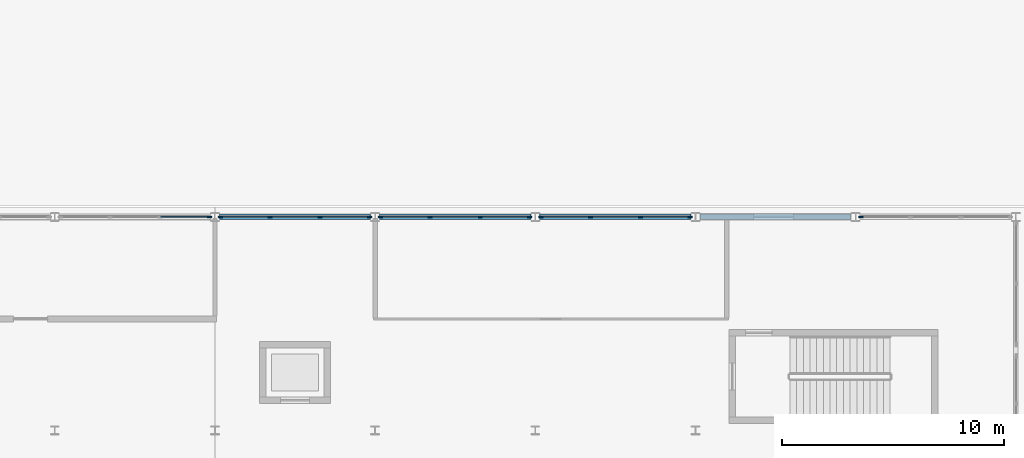
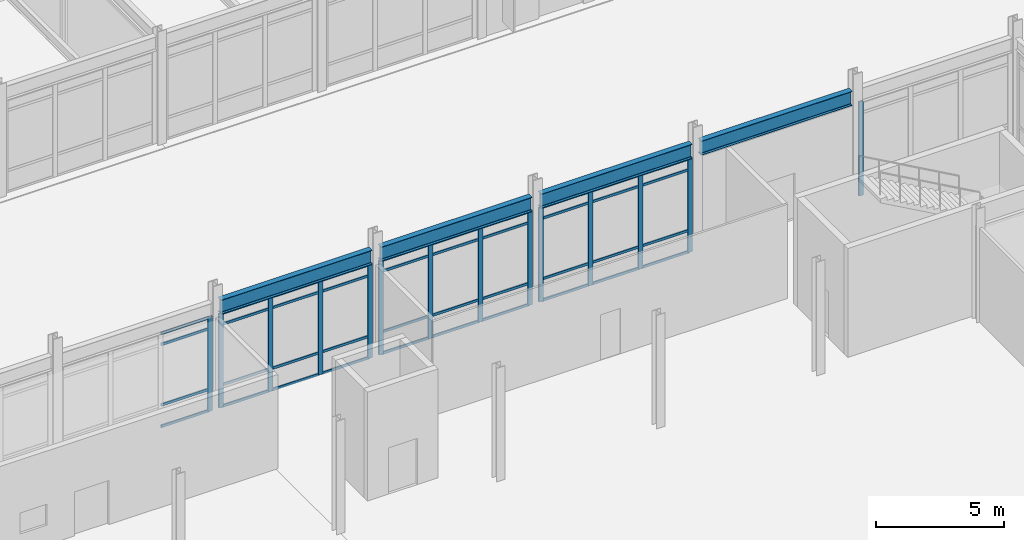
# One storey, part 26 of 104: 54 members, 4 beams, 5 elements without a shape of their own.
"""IFC4 building model written with IfcOpenShell, lengths in metres."""

from ifc_helpers import new_model, si_unit, direction, frame, origin, origin_2d, place, context, subcontext, project, spatial, rectangle, i_section, extrude, material, material_profile, profile_set, type_object, element, aggregate, save


model = new_model("IFC4")

# Units and contexts
model_context = context("Model", 3, precision=1e-05, world=origin(), true_north=direction((0.0, 1.0)))
body_context = subcontext(model_context, "Body", "Model", "MODEL_VIEW")
ifc_project = project(units=[si_unit("LENGTHUNIT", "METRE"), si_unit("AREAUNIT", "SQUARE_METRE"), si_unit("VOLUMEUNIT", "CUBIC_METRE"), si_unit("PLANEANGLEUNIT", "RADIAN"), si_unit("MASSUNIT", "GRAM", prefix="KILO")], contexts=[model_context])

# Site, building, storey
site_placement = place(None, origin())
site = spatial("IfcSite", under=ifc_project, at=site_placement, CompositionType="ELEMENT")
building_placement = place(site_placement, origin())
building = spatial("IfcBuilding", under=site, at=building_placement, Name="Vaelcorin Mobility Hub", CompositionType="ELEMENT")
storey_placement = place(building_placement, origin())
storey = spatial("IfcBuildingStorey", under=building, at=storey_placement, Name="L00", CompositionType="ELEMENT", Elevation=0.0)

# Beams
ifc_material_1 = material(Name="Steel ASTM A992 Grade 50", Category="steel")
ifc_material_profile_1 = material_profile(ifc_material_1, i_section(OverallWidth=0.25390625, OverallDepth=0.68310546875, WebThickness=0.012451171875, FlangeThickness=0.018798828125, FilletRadius=0.01611328125, at=origin_2d()), Name="W27X94")
ifc_profile_set_1 = profile_set([ifc_material_profile_1], Name="Steel ASTM A992 Grade 50")
beam_type = type_object("IfcBeamType", Name="BM-W27X94", PredefinedType="BEAM", material=ifc_profile_set_1)
for number, where, z_axis, x_axis, name in (
    (1, (72.199951171875, 60.0, 4.837890625), (1.0, 0.0, 0.0), (0.0, 1.0, 0.0), "L00 Beam V1-L00-GX-02-06"),
    (2, (79.39990234375, 60.0, 4.837890625), (1.0, 0.0, 0.0), (0.0, 1.0, 0.0), "L00 Beam V1-L00-GX-02-07"),
):
    element("IfcBeam", number, at=place(storey_placement, frame(where, z_axis=z_axis, x_axis=x_axis)), inside=storey, type_object=beam_type, Name=name, PredefinedType="BEAM", context=body_context, shape_type="SweptSolid", body=[
        extrude(i_section(OverallWidth=0.25390625, OverallDepth=0.68310546875, WebThickness=0.012451171875, FlangeThickness=0.018798828125, FilletRadius=0.01611328125, at=origin_2d()), origin(), (0.0, 0.0, 1.0), 6.800048828125),
    ])
beam_1_placement = place(storey_placement, frame((86.60009765625, 60.0, 4.837890625), z_axis=(1.0, 0.0, 0.0), x_axis=(0.0, 1.0, 0.0)))
element("IfcBeam", 3, at=beam_1_placement, inside=storey, type_object=beam_type, Name="L00 Beam V1-L00-GX-02-08", PredefinedType="BEAM", context=body_context, shape_type="SweptSolid", body=[
    extrude(i_section(OverallWidth=0.25390625, OverallDepth=0.68310546875, WebThickness=0.012451171875, FlangeThickness=0.018798828125, FilletRadius=0.01611328125, at=origin_2d()), origin(), (0.0, 0.0, 1.0), 6.7998046875),
])
beam_2_placement = place(storey_placement, frame((93.800048828125, 60.0, 4.837890625), z_axis=(1.0, 0.0, 0.0), x_axis=(0.0, 1.0, 0.0)))
element("IfcBeam", 4, at=beam_2_placement, inside=storey, type_object=beam_type, Name="L00 Beam V1-L00-GX-02-09", PredefinedType="BEAM", context=body_context, shape_type="SweptSolid", body=[
    extrude(i_section(OverallWidth=0.25390625, OverallDepth=0.68310546875, WebThickness=0.012451171875, FlangeThickness=0.018798828125, FilletRadius=0.01611328125, at=origin_2d()), origin(), (0.0, 0.0, 1.0), 6.800048828125),
])

# Curtain wall, member
ifc_material_2 = material(Name="Anodised aluminium 6063-T6", Category="aluminium")
curtain_wall_type = type_object("IfcCurtainWallType", Name="CW-CONC-B", PredefinedType="NOTDEFINED", material=ifc_material_2)
curtain_wall_1_placement = place(storey_placement, origin())
curtain_wall_1 = element("IfcCurtainWall", 5, at=curtain_wall_1_placement, inside=storey, type_object=curtain_wall_type, Name="L00 Curtain Wall CW-V1-N-05", PredefinedType="NOTDEFINED")
ifc_material_profile_2 = material_profile(ifc_material_2, rectangle(XDim=0.070068359375, YDim=0.199951171875, at=origin_2d()), Name="ALU-M70X200")
ifc_profile_set_2 = profile_set([ifc_material_profile_2], Name="Anodised aluminium 6063-T6")
member_type_1 = type_object("IfcMemberType", Name="CW-MULL-200", PredefinedType="MULLION", material=ifc_profile_set_2)
member_1_placement = place(storey_placement, frame((71.75, 60.0, 0.0), z_axis=(0.0, 0.0, 1.0), x_axis=(0.0, 1.0, 0.0)))
member_1 = element("IfcMember", 6, at=member_1_placement, type_object=member_type_1, Name="CW2 mullion 4", PredefinedType="MULLION", context=body_context, shape_type="SweptSolid", body=[
    extrude(rectangle(XDim=0.070068359375, YDim=0.199951171875, at=origin_2d()), origin(), (0.0, 0.0, 1.0), 4.48193359375),
])

# Curtain wall, members
curtain_wall_2_placement = place(storey_placement, origin())
curtain_wall_2 = element("IfcCurtainWall", 7, at=curtain_wall_2_placement, inside=storey, type_object=curtain_wall_type, Name="L00 Curtain Wall CW-V1-N-06", PredefinedType="NOTDEFINED")
member_2_placement = place(storey_placement, frame((72.25, 60.0, 0.0), z_axis=(0.0, 0.0, 1.0), x_axis=(0.0, 1.0, 0.0)))
member_2 = element("IfcMember", 8, at=member_2_placement, type_object=member_type_1, Name="CW2 mullion 1", PredefinedType="MULLION", context=body_context, shape_type="SweptSolid", body=[
    extrude(rectangle(XDim=0.070068359375, YDim=0.199951171875, at=origin_2d()), origin(), (0.0, 0.0, 1.0), 4.48193359375),
])
member_3_placement = place(storey_placement, frame((74.473388671875, 60.0, 0.0), z_axis=(0.0, 0.0, 1.0), x_axis=(0.0, 1.0, 0.0)))
member_3 = element("IfcMember", 9, at=member_3_placement, type_object=member_type_1, Name="CW2 mullion 2", PredefinedType="MULLION", context=body_context, shape_type="SweptSolid", body=[
    extrude(rectangle(XDim=0.070068359375, YDim=0.199951171875, at=origin_2d()), origin(), (0.0, 0.0, 1.0), 4.48193359375),
])
member_4_placement = place(storey_placement, frame((76.7265625, 60.0, 0.0), z_axis=(0.0, 0.0, 1.0), x_axis=(0.0, 1.0, 0.0)))
member_4 = element("IfcMember", 10, at=member_4_placement, type_object=member_type_1, Name="CW2 mullion 3", PredefinedType="MULLION", context=body_context, shape_type="SweptSolid", body=[
    extrude(rectangle(XDim=0.070068359375, YDim=0.199951171875, at=origin_2d()), origin(), (0.0, 0.0, 1.0), 4.48193359375),
])
member_5_placement = place(storey_placement, frame((78.949951171875, 60.0, 0.0), z_axis=(0.0, 0.0, 1.0), x_axis=(0.0, 1.0, 0.0)))
member_5 = element("IfcMember", 11, at=member_5_placement, type_object=member_type_1, Name="CW2 mullion 4", PredefinedType="MULLION", context=body_context, shape_type="SweptSolid", body=[
    extrude(rectangle(XDim=0.070068359375, YDim=0.199951171875, at=origin_2d()), origin(), (0.0, 0.0, 1.0), 4.48193359375),
])

curtain_wall_3_placement = place(storey_placement, origin())
curtain_wall_3 = element("IfcCurtainWall", 12, at=curtain_wall_3_placement, inside=storey, type_object=curtain_wall_type, Name="L00 Curtain Wall CW-V1-N-07", PredefinedType="NOTDEFINED")
member_6_placement = place(storey_placement, frame((79.449951171875, 60.0, 0.0), z_axis=(0.0, 0.0, 1.0), x_axis=(0.0, 1.0, 0.0)))
member_6 = element("IfcMember", 13, at=member_6_placement, type_object=member_type_1, Name="CW2 mullion 1", PredefinedType="MULLION", context=body_context, shape_type="SweptSolid", body=[
    extrude(rectangle(XDim=0.070068359375, YDim=0.199951171875, at=origin_2d()), origin(), (0.0, 0.0, 1.0), 4.48193359375),
])
member_7_placement = place(storey_placement, frame((81.67333984375, 60.0, 0.0), z_axis=(0.0, 0.0, 1.0), x_axis=(0.0, 1.0, 0.0)))
member_7 = element("IfcMember", 14, at=member_7_placement, type_object=member_type_1, Name="CW2 mullion 2", PredefinedType="MULLION", context=body_context, shape_type="SweptSolid", body=[
    extrude(rectangle(XDim=0.070068359375, YDim=0.199951171875, at=origin_2d()), origin(), (0.0, 0.0, 1.0), 4.48193359375),
])
member_8_placement = place(storey_placement, frame((83.9267578125, 60.0, 0.0), z_axis=(0.0, 0.0, 1.0), x_axis=(0.0, 1.0, 0.0)))
member_8 = element("IfcMember", 15, at=member_8_placement, type_object=member_type_1, Name="CW2 mullion 3", PredefinedType="MULLION", context=body_context, shape_type="SweptSolid", body=[
    extrude(rectangle(XDim=0.070068359375, YDim=0.199951171875, at=origin_2d()), origin(), (0.0, 0.0, 1.0), 4.48193359375),
])
member_9_placement = place(storey_placement, frame((86.14990234375, 60.0, 0.0), z_axis=(0.0, 0.0, 1.0), x_axis=(0.0, 1.0, 0.0)))
member_9 = element("IfcMember", 16, at=member_9_placement, type_object=member_type_1, Name="CW2 mullion 4", PredefinedType="MULLION", context=body_context, shape_type="SweptSolid", body=[
    extrude(rectangle(XDim=0.070068359375, YDim=0.199951171875, at=origin_2d()), origin(), (0.0, 0.0, 1.0), 4.48193359375),
])

curtain_wall_4_placement = place(storey_placement, origin())
curtain_wall_4 = element("IfcCurtainWall", 17, at=curtain_wall_4_placement, inside=storey, type_object=curtain_wall_type, Name="L00 Curtain Wall CW-V1-N-08", PredefinedType="NOTDEFINED")
member_10_placement = place(storey_placement, frame((86.64990234375, 60.0, 0.0), z_axis=(0.0, 0.0, 1.0), x_axis=(0.0, 1.0, 0.0)))
member_10 = element("IfcMember", 18, at=member_10_placement, type_object=member_type_1, Name="CW2 mullion 1", PredefinedType="MULLION", context=body_context, shape_type="SweptSolid", body=[
    extrude(rectangle(XDim=0.070068359375, YDim=0.199951171875, at=origin_2d()), origin(), (0.0, 0.0, 1.0), 4.48193359375),
])
member_11_placement = place(storey_placement, frame((88.873291015625, 60.0, 0.0), z_axis=(0.0, 0.0, 1.0), x_axis=(0.0, 1.0, 0.0)))
member_11 = element("IfcMember", 19, at=member_11_placement, type_object=member_type_1, Name="CW2 mullion 2", PredefinedType="MULLION", context=body_context, shape_type="SweptSolid", body=[
    extrude(rectangle(XDim=0.070068359375, YDim=0.199951171875, at=origin_2d()), origin(), (0.0, 0.0, 1.0), 4.48193359375),
])
member_12_placement = place(storey_placement, frame((91.126708984375, 60.0, 0.0), z_axis=(0.0, 0.0, 1.0), x_axis=(0.0, 1.0, 0.0)))
member_12 = element("IfcMember", 20, at=member_12_placement, type_object=member_type_1, Name="CW2 mullion 3", PredefinedType="MULLION", context=body_context, shape_type="SweptSolid", body=[
    extrude(rectangle(XDim=0.070068359375, YDim=0.199951171875, at=origin_2d()), origin(), (0.0, 0.0, 1.0), 4.48193359375),
])
member_13_placement = place(storey_placement, frame((93.35009765625, 60.0, 0.0), z_axis=(0.0, 0.0, 1.0), x_axis=(0.0, 1.0, 0.0)))
member_13 = element("IfcMember", 21, at=member_13_placement, type_object=member_type_1, Name="CW2 mullion 4", PredefinedType="MULLION", context=body_context, shape_type="SweptSolid", body=[
    extrude(rectangle(XDim=0.070068359375, YDim=0.199951171875, at=origin_2d()), origin(), (0.0, 0.0, 1.0), 4.48193359375),
])

# Curtain wall, member
curtain_wall_5_placement = place(storey_placement, origin())
curtain_wall_5 = element("IfcCurtainWall", 22, at=curtain_wall_5_placement, inside=storey, type_object=curtain_wall_type, Name="L00 Curtain Wall CW-V1-N-10", PredefinedType="NOTDEFINED")
member_14_placement = place(storey_placement, frame((101.050048828125, 60.0, 0.0), z_axis=(0.0, 0.0, 1.0), x_axis=(0.0, 1.0, 0.0)))
member_14 = element("IfcMember", 23, at=member_14_placement, type_object=member_type_1, Name="CW2 mullion 1", PredefinedType="MULLION", context=body_context, shape_type="SweptSolid", body=[
    extrude(rectangle(XDim=0.070068359375, YDim=0.199951171875, at=origin_2d()), origin(), (0.0, 0.0, 1.0), 4.48193359375),
])
aggregate(curtain_wall_5, [member_14])

# Member
ifc_material_profile_3 = material_profile(ifc_material_2, rectangle(XDim=0.06005859375, YDim=0.1201171875, at=origin_2d()), Name="ALU-T60X120")
ifc_profile_set_3 = profile_set([ifc_material_profile_3], Name="Anodised aluminium 6063-T6")
member_type_2 = type_object("IfcMemberType", Name="CW-TRAN-140", PredefinedType="USERDEFINED", material=ifc_profile_set_3)
member_15_placement = place(storey_placement, frame((69.556640625, 60.0, 0.030029296875), z_axis=(1.0, 0.0, 0.0), x_axis=(0.0, 1.0, 0.0)))
member_15 = element("IfcMember", 24, at=member_15_placement, type_object=member_type_2, Name="CW2 transom 3.1", ObjectType="TRANSOM", PredefinedType="USERDEFINED", context=body_context, shape_type="SweptSolid", body=[
    extrude(rectangle(XDim=0.06005859375, YDim=0.1201171875, at=origin_2d()), origin(), (0.0, 0.0, 1.0), 2.163330078125),
])

member_16_placement = place(storey_placement, frame((69.556640625, 60.0, 1.050048828125), z_axis=(1.0, 0.0, 0.0), x_axis=(0.0, 1.0, 0.0)))
member_16 = element("IfcMember", 25, at=member_16_placement, type_object=member_type_2, Name="CW2 transom 3.2", ObjectType="TRANSOM", PredefinedType="USERDEFINED", context=body_context, shape_type="SweptSolid", body=[
    extrude(rectangle(XDim=0.06005859375, YDim=0.1201171875, at=origin_2d()), origin(), (0.0, 0.0, 1.0), 2.163330078125),
])

member_17_placement = place(storey_placement, frame((69.556640625, 60.0, 3.931884765625), z_axis=(1.0, 0.0, 0.0), x_axis=(0.0, 1.0, 0.0)))
member_17 = element("IfcMember", 26, at=member_17_placement, type_object=member_type_2, Name="CW2 transom 3.3", ObjectType="TRANSOM", PredefinedType="USERDEFINED", context=body_context, shape_type="SweptSolid", body=[
    extrude(rectangle(XDim=0.06005859375, YDim=0.1201171875, at=origin_2d()), origin(), (0.0, 0.0, 1.0), 2.163330078125),
])

member_18_placement = place(storey_placement, frame((69.556640625, 60.0, 4.451904296875), z_axis=(1.0, 0.0, 0.0), x_axis=(0.0, 1.0, 0.0)))
member_18 = element("IfcMember", 27, at=member_18_placement, type_object=member_type_2, Name="CW2 transom 3.4", ObjectType="TRANSOM", PredefinedType="USERDEFINED", context=body_context, shape_type="SweptSolid", body=[
    extrude(rectangle(XDim=0.06005859375, YDim=0.1201171875, at=origin_2d()), origin(), (0.0, 0.0, 1.0), 2.163330078125),
])

aggregate(curtain_wall_1, [member_1, member_15, member_16, member_17, member_18])

member_19_placement = place(storey_placement, frame((72.280029296875, 60.0, 0.030029296875), z_axis=(1.0, 0.0, 0.0), x_axis=(0.0, 1.0, 0.0)))
member_19 = element("IfcMember", 28, at=member_19_placement, type_object=member_type_2, Name="CW2 transom 1.1", ObjectType="TRANSOM", PredefinedType="USERDEFINED", context=body_context, shape_type="SweptSolid", body=[
    extrude(rectangle(XDim=0.06005859375, YDim=0.1201171875, at=origin_2d()), origin(), (0.0, 0.0, 1.0), 2.163330078125),
])

member_20_placement = place(storey_placement, frame((72.280029296875, 60.0, 1.050048828125), z_axis=(1.0, 0.0, 0.0), x_axis=(0.0, 1.0, 0.0)))
member_20 = element("IfcMember", 29, at=member_20_placement, type_object=member_type_2, Name="CW2 transom 1.2", ObjectType="TRANSOM", PredefinedType="USERDEFINED", context=body_context, shape_type="SweptSolid", body=[
    extrude(rectangle(XDim=0.06005859375, YDim=0.1201171875, at=origin_2d()), origin(), (0.0, 0.0, 1.0), 2.163330078125),
])

member_21_placement = place(storey_placement, frame((72.280029296875, 60.0, 3.931884765625), z_axis=(1.0, 0.0, 0.0), x_axis=(0.0, 1.0, 0.0)))
member_21 = element("IfcMember", 30, at=member_21_placement, type_object=member_type_2, Name="CW2 transom 1.3", ObjectType="TRANSOM", PredefinedType="USERDEFINED", context=body_context, shape_type="SweptSolid", body=[
    extrude(rectangle(XDim=0.06005859375, YDim=0.1201171875, at=origin_2d()), origin(), (0.0, 0.0, 1.0), 2.163330078125),
])

member_22_placement = place(storey_placement, frame((72.280029296875, 60.0, 4.451904296875), z_axis=(1.0, 0.0, 0.0), x_axis=(0.0, 1.0, 0.0)))
member_22 = element("IfcMember", 31, at=member_22_placement, type_object=member_type_2, Name="CW2 transom 1.4", ObjectType="TRANSOM", PredefinedType="USERDEFINED", context=body_context, shape_type="SweptSolid", body=[
    extrude(rectangle(XDim=0.06005859375, YDim=0.1201171875, at=origin_2d()), origin(), (0.0, 0.0, 1.0), 2.163330078125),
])

member_23_placement = place(storey_placement, frame((74.50341796875, 60.0, 0.030029296875), z_axis=(1.0, 0.0, 0.0), x_axis=(0.0, 1.0, 0.0)))
member_23 = element("IfcMember", 32, at=member_23_placement, type_object=member_type_2, Name="CW2 transom 2.1", ObjectType="TRANSOM", PredefinedType="USERDEFINED", context=body_context, shape_type="SweptSolid", body=[
    extrude(rectangle(XDim=0.06005859375, YDim=0.1201171875, at=origin_2d()), origin(), (0.0, 0.0, 1.0), 2.193359375),
])

member_24_placement = place(storey_placement, frame((74.50341796875, 60.0, 1.050048828125), z_axis=(1.0, 0.0, 0.0), x_axis=(0.0, 1.0, 0.0)))
member_24 = element("IfcMember", 33, at=member_24_placement, type_object=member_type_2, Name="CW2 transom 2.2", ObjectType="TRANSOM", PredefinedType="USERDEFINED", context=body_context, shape_type="SweptSolid", body=[
    extrude(rectangle(XDim=0.06005859375, YDim=0.1201171875, at=origin_2d()), origin(), (0.0, 0.0, 1.0), 2.193359375),
])

member_25_placement = place(storey_placement, frame((74.50341796875, 60.0, 3.931884765625), z_axis=(1.0, 0.0, 0.0), x_axis=(0.0, 1.0, 0.0)))
member_25 = element("IfcMember", 34, at=member_25_placement, type_object=member_type_2, Name="CW2 transom 2.3", ObjectType="TRANSOM", PredefinedType="USERDEFINED", context=body_context, shape_type="SweptSolid", body=[
    extrude(rectangle(XDim=0.06005859375, YDim=0.1201171875, at=origin_2d()), origin(), (0.0, 0.0, 1.0), 2.193359375),
])

member_26_placement = place(storey_placement, frame((74.50341796875, 60.0, 4.451904296875), z_axis=(1.0, 0.0, 0.0), x_axis=(0.0, 1.0, 0.0)))
member_26 = element("IfcMember", 35, at=member_26_placement, type_object=member_type_2, Name="CW2 transom 2.4", ObjectType="TRANSOM", PredefinedType="USERDEFINED", context=body_context, shape_type="SweptSolid", body=[
    extrude(rectangle(XDim=0.06005859375, YDim=0.1201171875, at=origin_2d()), origin(), (0.0, 0.0, 1.0), 2.193359375),
])

member_27_placement = place(storey_placement, frame((76.756591796875, 60.0, 0.030029296875), z_axis=(1.0, 0.0, 0.0), x_axis=(0.0, 1.0, 0.0)))
member_27 = element("IfcMember", 36, at=member_27_placement, type_object=member_type_2, Name="CW2 transom 3.1", ObjectType="TRANSOM", PredefinedType="USERDEFINED", context=body_context, shape_type="SweptSolid", body=[
    extrude(rectangle(XDim=0.06005859375, YDim=0.1201171875, at=origin_2d()), origin(), (0.0, 0.0, 1.0), 2.163330078125),
])

member_28_placement = place(storey_placement, frame((76.756591796875, 60.0, 1.050048828125), z_axis=(1.0, 0.0, 0.0), x_axis=(0.0, 1.0, 0.0)))
member_28 = element("IfcMember", 37, at=member_28_placement, type_object=member_type_2, Name="CW2 transom 3.2", ObjectType="TRANSOM", PredefinedType="USERDEFINED", context=body_context, shape_type="SweptSolid", body=[
    extrude(rectangle(XDim=0.06005859375, YDim=0.1201171875, at=origin_2d()), origin(), (0.0, 0.0, 1.0), 2.163330078125),
])

member_29_placement = place(storey_placement, frame((76.756591796875, 60.0, 3.931884765625), z_axis=(1.0, 0.0, 0.0), x_axis=(0.0, 1.0, 0.0)))
member_29 = element("IfcMember", 38, at=member_29_placement, type_object=member_type_2, Name="CW2 transom 3.3", ObjectType="TRANSOM", PredefinedType="USERDEFINED", context=body_context, shape_type="SweptSolid", body=[
    extrude(rectangle(XDim=0.06005859375, YDim=0.1201171875, at=origin_2d()), origin(), (0.0, 0.0, 1.0), 2.163330078125),
])

member_30_placement = place(storey_placement, frame((76.756591796875, 60.0, 4.451904296875), z_axis=(1.0, 0.0, 0.0), x_axis=(0.0, 1.0, 0.0)))
member_30 = element("IfcMember", 39, at=member_30_placement, type_object=member_type_2, Name="CW2 transom 3.4", ObjectType="TRANSOM", PredefinedType="USERDEFINED", context=body_context, shape_type="SweptSolid", body=[
    extrude(rectangle(XDim=0.06005859375, YDim=0.1201171875, at=origin_2d()), origin(), (0.0, 0.0, 1.0), 2.163330078125),
])

aggregate(curtain_wall_2, [member_2, member_3, member_4, member_5, member_19, member_20, member_21, member_22, member_23, member_24, member_25, member_26, member_27, member_28, member_29, member_30])

member_31_placement = place(storey_placement, frame((79.47998046875, 60.0, 0.030029296875), z_axis=(1.0, 0.0, 0.0), x_axis=(0.0, 1.0, 0.0)))
member_31 = element("IfcMember", 40, at=member_31_placement, type_object=member_type_2, Name="CW2 transom 1.1", ObjectType="TRANSOM", PredefinedType="USERDEFINED", context=body_context, shape_type="SweptSolid", body=[
    extrude(rectangle(XDim=0.06005859375, YDim=0.1201171875, at=origin_2d()), origin(), (0.0, 0.0, 1.0), 2.163330078125),
])

member_32_placement = place(storey_placement, frame((79.47998046875, 60.0, 1.050048828125), z_axis=(1.0, 0.0, 0.0), x_axis=(0.0, 1.0, 0.0)))
member_32 = element("IfcMember", 41, at=member_32_placement, type_object=member_type_2, Name="CW2 transom 1.2", ObjectType="TRANSOM", PredefinedType="USERDEFINED", context=body_context, shape_type="SweptSolid", body=[
    extrude(rectangle(XDim=0.06005859375, YDim=0.1201171875, at=origin_2d()), origin(), (0.0, 0.0, 1.0), 2.163330078125),
])

member_33_placement = place(storey_placement, frame((79.47998046875, 60.0, 3.931884765625), z_axis=(1.0, 0.0, 0.0), x_axis=(0.0, 1.0, 0.0)))
member_33 = element("IfcMember", 42, at=member_33_placement, type_object=member_type_2, Name="CW2 transom 1.3", ObjectType="TRANSOM", PredefinedType="USERDEFINED", context=body_context, shape_type="SweptSolid", body=[
    extrude(rectangle(XDim=0.06005859375, YDim=0.1201171875, at=origin_2d()), origin(), (0.0, 0.0, 1.0), 2.163330078125),
])

member_34_placement = place(storey_placement, frame((79.47998046875, 60.0, 4.451904296875), z_axis=(1.0, 0.0, 0.0), x_axis=(0.0, 1.0, 0.0)))
member_34 = element("IfcMember", 43, at=member_34_placement, type_object=member_type_2, Name="CW2 transom 1.4", ObjectType="TRANSOM", PredefinedType="USERDEFINED", context=body_context, shape_type="SweptSolid", body=[
    extrude(rectangle(XDim=0.06005859375, YDim=0.1201171875, at=origin_2d()), origin(), (0.0, 0.0, 1.0), 2.163330078125),
])

member_35_placement = place(storey_placement, frame((81.703369140625, 60.0, 0.030029296875), z_axis=(1.0, 0.0, 0.0), x_axis=(0.0, 1.0, 0.0)))
member_35 = element("IfcMember", 44, at=member_35_placement, type_object=member_type_2, Name="CW2 transom 2.1", ObjectType="TRANSOM", PredefinedType="USERDEFINED", context=body_context, shape_type="SweptSolid", body=[
    extrude(rectangle(XDim=0.06005859375, YDim=0.1201171875, at=origin_2d()), origin(), (0.0, 0.0, 1.0), 2.193359375),
])

member_36_placement = place(storey_placement, frame((81.703369140625, 60.0, 1.050048828125), z_axis=(1.0, 0.0, 0.0), x_axis=(0.0, 1.0, 0.0)))
member_36 = element("IfcMember", 45, at=member_36_placement, type_object=member_type_2, Name="CW2 transom 2.2", ObjectType="TRANSOM", PredefinedType="USERDEFINED", context=body_context, shape_type="SweptSolid", body=[
    extrude(rectangle(XDim=0.06005859375, YDim=0.1201171875, at=origin_2d()), origin(), (0.0, 0.0, 1.0), 2.193359375),
])

member_37_placement = place(storey_placement, frame((81.703369140625, 60.0, 3.931884765625), z_axis=(1.0, 0.0, 0.0), x_axis=(0.0, 1.0, 0.0)))
member_37 = element("IfcMember", 46, at=member_37_placement, type_object=member_type_2, Name="CW2 transom 2.3", ObjectType="TRANSOM", PredefinedType="USERDEFINED", context=body_context, shape_type="SweptSolid", body=[
    extrude(rectangle(XDim=0.06005859375, YDim=0.1201171875, at=origin_2d()), origin(), (0.0, 0.0, 1.0), 2.193359375),
])

member_38_placement = place(storey_placement, frame((81.703369140625, 60.0, 4.451904296875), z_axis=(1.0, 0.0, 0.0), x_axis=(0.0, 1.0, 0.0)))
member_38 = element("IfcMember", 47, at=member_38_placement, type_object=member_type_2, Name="CW2 transom 2.4", ObjectType="TRANSOM", PredefinedType="USERDEFINED", context=body_context, shape_type="SweptSolid", body=[
    extrude(rectangle(XDim=0.06005859375, YDim=0.1201171875, at=origin_2d()), origin(), (0.0, 0.0, 1.0), 2.193359375),
])

member_39_placement = place(storey_placement, frame((83.956787109375, 60.0, 0.030029296875), z_axis=(1.0, 0.0, 0.0), x_axis=(0.0, 1.0, 0.0)))
member_39 = element("IfcMember", 48, at=member_39_placement, type_object=member_type_2, Name="CW2 transom 3.1", ObjectType="TRANSOM", PredefinedType="USERDEFINED", context=body_context, shape_type="SweptSolid", body=[
    extrude(rectangle(XDim=0.06005859375, YDim=0.1201171875, at=origin_2d()), origin(), (0.0, 0.0, 1.0), 2.163330078125),
])

member_40_placement = place(storey_placement, frame((83.956787109375, 60.0, 1.050048828125), z_axis=(1.0, 0.0, 0.0), x_axis=(0.0, 1.0, 0.0)))
member_40 = element("IfcMember", 49, at=member_40_placement, type_object=member_type_2, Name="CW2 transom 3.2", ObjectType="TRANSOM", PredefinedType="USERDEFINED", context=body_context, shape_type="SweptSolid", body=[
    extrude(rectangle(XDim=0.06005859375, YDim=0.1201171875, at=origin_2d()), origin(), (0.0, 0.0, 1.0), 2.163330078125),
])

member_41_placement = place(storey_placement, frame((83.956787109375, 60.0, 3.931884765625), z_axis=(1.0, 0.0, 0.0), x_axis=(0.0, 1.0, 0.0)))
member_41 = element("IfcMember", 50, at=member_41_placement, type_object=member_type_2, Name="CW2 transom 3.3", ObjectType="TRANSOM", PredefinedType="USERDEFINED", context=body_context, shape_type="SweptSolid", body=[
    extrude(rectangle(XDim=0.06005859375, YDim=0.1201171875, at=origin_2d()), origin(), (0.0, 0.0, 1.0), 2.163330078125),
])

member_42_placement = place(storey_placement, frame((83.956787109375, 60.0, 4.451904296875), z_axis=(1.0, 0.0, 0.0), x_axis=(0.0, 1.0, 0.0)))
member_42 = element("IfcMember", 51, at=member_42_placement, type_object=member_type_2, Name="CW2 transom 3.4", ObjectType="TRANSOM", PredefinedType="USERDEFINED", context=body_context, shape_type="SweptSolid", body=[
    extrude(rectangle(XDim=0.06005859375, YDim=0.1201171875, at=origin_2d()), origin(), (0.0, 0.0, 1.0), 2.163330078125),
])

aggregate(curtain_wall_3, [member_6, member_7, member_8, member_9, member_31, member_32, member_33, member_34, member_35, member_36, member_37, member_38, member_39, member_40, member_41, member_42])

member_43_placement = place(storey_placement, frame((86.679931640625, 60.0, 0.030029296875), z_axis=(1.0, 0.0, 0.0), x_axis=(0.0, 1.0, 0.0)))
member_43 = element("IfcMember", 52, at=member_43_placement, type_object=member_type_2, Name="CW2 transom 1.1", ObjectType="TRANSOM", PredefinedType="USERDEFINED", context=body_context, shape_type="SweptSolid", body=[
    extrude(rectangle(XDim=0.06005859375, YDim=0.1201171875, at=origin_2d()), origin(), (0.0, 0.0, 1.0), 2.163330078125),
])

member_44_placement = place(storey_placement, frame((86.679931640625, 60.0, 1.050048828125), z_axis=(1.0, 0.0, 0.0), x_axis=(0.0, 1.0, 0.0)))
member_44 = element("IfcMember", 53, at=member_44_placement, type_object=member_type_2, Name="CW2 transom 1.2", ObjectType="TRANSOM", PredefinedType="USERDEFINED", context=body_context, shape_type="SweptSolid", body=[
    extrude(rectangle(XDim=0.06005859375, YDim=0.1201171875, at=origin_2d()), origin(), (0.0, 0.0, 1.0), 2.163330078125),
])

member_45_placement = place(storey_placement, frame((86.679931640625, 60.0, 3.931884765625), z_axis=(1.0, 0.0, 0.0), x_axis=(0.0, 1.0, 0.0)))
member_45 = element("IfcMember", 54, at=member_45_placement, type_object=member_type_2, Name="CW2 transom 1.3", ObjectType="TRANSOM", PredefinedType="USERDEFINED", context=body_context, shape_type="SweptSolid", body=[
    extrude(rectangle(XDim=0.06005859375, YDim=0.1201171875, at=origin_2d()), origin(), (0.0, 0.0, 1.0), 2.163330078125),
])

member_46_placement = place(storey_placement, frame((86.679931640625, 60.0, 4.451904296875), z_axis=(1.0, 0.0, 0.0), x_axis=(0.0, 1.0, 0.0)))
member_46 = element("IfcMember", 55, at=member_46_placement, type_object=member_type_2, Name="CW2 transom 1.4", ObjectType="TRANSOM", PredefinedType="USERDEFINED", context=body_context, shape_type="SweptSolid", body=[
    extrude(rectangle(XDim=0.06005859375, YDim=0.1201171875, at=origin_2d()), origin(), (0.0, 0.0, 1.0), 2.163330078125),
])

member_47_placement = place(storey_placement, frame((88.9033203125, 60.0, 0.030029296875), z_axis=(1.0, 0.0, 0.0), x_axis=(0.0, 1.0, 0.0)))
member_47 = element("IfcMember", 56, at=member_47_placement, type_object=member_type_2, Name="CW2 transom 2.1", ObjectType="TRANSOM", PredefinedType="USERDEFINED", context=body_context, shape_type="SweptSolid", body=[
    extrude(rectangle(XDim=0.06005859375, YDim=0.1201171875, at=origin_2d()), origin(), (0.0, 0.0, 1.0), 2.193359375),
])

member_48_placement = place(storey_placement, frame((88.9033203125, 60.0, 1.050048828125), z_axis=(1.0, 0.0, 0.0), x_axis=(0.0, 1.0, 0.0)))
member_48 = element("IfcMember", 57, at=member_48_placement, type_object=member_type_2, Name="CW2 transom 2.2", ObjectType="TRANSOM", PredefinedType="USERDEFINED", context=body_context, shape_type="SweptSolid", body=[
    extrude(rectangle(XDim=0.06005859375, YDim=0.1201171875, at=origin_2d()), origin(), (0.0, 0.0, 1.0), 2.193359375),
])

member_49_placement = place(storey_placement, frame((88.9033203125, 60.0, 3.931884765625), z_axis=(1.0, 0.0, 0.0), x_axis=(0.0, 1.0, 0.0)))
member_49 = element("IfcMember", 58, at=member_49_placement, type_object=member_type_2, Name="CW2 transom 2.3", ObjectType="TRANSOM", PredefinedType="USERDEFINED", context=body_context, shape_type="SweptSolid", body=[
    extrude(rectangle(XDim=0.06005859375, YDim=0.1201171875, at=origin_2d()), origin(), (0.0, 0.0, 1.0), 2.193359375),
])

member_50_placement = place(storey_placement, frame((88.9033203125, 60.0, 4.451904296875), z_axis=(1.0, 0.0, 0.0), x_axis=(0.0, 1.0, 0.0)))
member_50 = element("IfcMember", 59, at=member_50_placement, type_object=member_type_2, Name="CW2 transom 2.4", ObjectType="TRANSOM", PredefinedType="USERDEFINED", context=body_context, shape_type="SweptSolid", body=[
    extrude(rectangle(XDim=0.06005859375, YDim=0.1201171875, at=origin_2d()), origin(), (0.0, 0.0, 1.0), 2.193359375),
])

member_51_placement = place(storey_placement, frame((91.15673828125, 60.0, 0.030029296875), z_axis=(1.0, 0.0, 0.0), x_axis=(0.0, 1.0, 0.0)))
member_51 = element("IfcMember", 60, at=member_51_placement, type_object=member_type_2, Name="CW2 transom 3.1", ObjectType="TRANSOM", PredefinedType="USERDEFINED", context=body_context, shape_type="SweptSolid", body=[
    extrude(rectangle(XDim=0.06005859375, YDim=0.1201171875, at=origin_2d()), origin(), (0.0, 0.0, 1.0), 2.163330078125),
])

member_52_placement = place(storey_placement, frame((91.15673828125, 60.0, 1.050048828125), z_axis=(1.0, 0.0, 0.0), x_axis=(0.0, 1.0, 0.0)))
member_52 = element("IfcMember", 61, at=member_52_placement, type_object=member_type_2, Name="CW2 transom 3.2", ObjectType="TRANSOM", PredefinedType="USERDEFINED", context=body_context, shape_type="SweptSolid", body=[
    extrude(rectangle(XDim=0.06005859375, YDim=0.1201171875, at=origin_2d()), origin(), (0.0, 0.0, 1.0), 2.163330078125),
])

member_53_placement = place(storey_placement, frame((91.15673828125, 60.0, 3.931884765625), z_axis=(1.0, 0.0, 0.0), x_axis=(0.0, 1.0, 0.0)))
member_53 = element("IfcMember", 62, at=member_53_placement, type_object=member_type_2, Name="CW2 transom 3.3", ObjectType="TRANSOM", PredefinedType="USERDEFINED", context=body_context, shape_type="SweptSolid", body=[
    extrude(rectangle(XDim=0.06005859375, YDim=0.1201171875, at=origin_2d()), origin(), (0.0, 0.0, 1.0), 2.163330078125),
])

member_54_placement = place(storey_placement, frame((91.15673828125, 60.0, 4.451904296875), z_axis=(1.0, 0.0, 0.0), x_axis=(0.0, 1.0, 0.0)))
member_54 = element("IfcMember", 63, at=member_54_placement, type_object=member_type_2, Name="CW2 transom 3.4", ObjectType="TRANSOM", PredefinedType="USERDEFINED", context=body_context, shape_type="SweptSolid", body=[
    extrude(rectangle(XDim=0.06005859375, YDim=0.1201171875, at=origin_2d()), origin(), (0.0, 0.0, 1.0), 2.163330078125),
])

aggregate(curtain_wall_4, [member_10, member_11, member_12, member_13, member_43, member_44, member_45, member_46, member_47, member_48, member_49, member_50, member_51, member_52, member_53, member_54])

save(model, "model.ifc")
